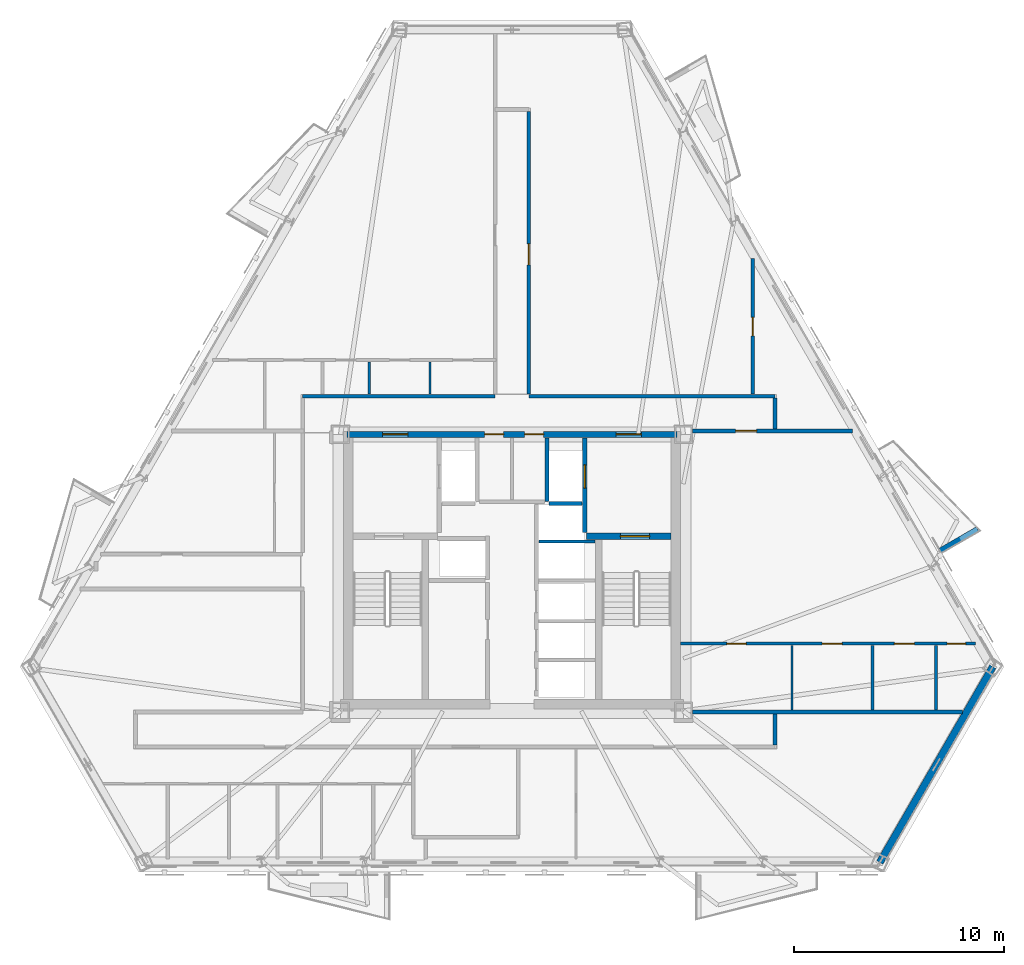
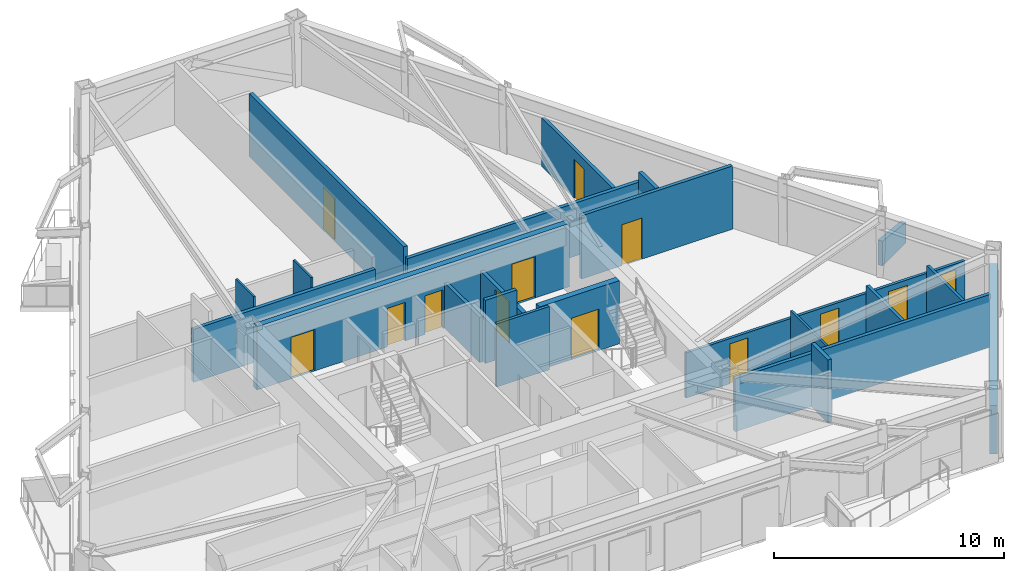
# One storey, part 5 of 9: 22 walls, 13 doors, 13 openings.
"""IFC4 building model written with IfcOpenShell, lengths in metres."""

from ifc_helpers import new_model, si_unit, direction, frame, frame_2d, origin, place, context, subcontext, project, spatial, polyline, rectangle, outline, extrude, material, layer, layer_set, type_object, element, fill, save


model = new_model("IFC4")

# Units and contexts
model_context = context("Model", 3, precision=1e-05, world=origin(), true_north=direction((0.0, 1.0)))
body_context = subcontext(model_context, "Body", "Model", "MODEL_VIEW")
ifc_project = project(units=[si_unit("LENGTHUNIT", "METRE"), si_unit("AREAUNIT", "SQUARE_METRE"), si_unit("VOLUMEUNIT", "CUBIC_METRE"), si_unit("PLANEANGLEUNIT", "RADIAN"), si_unit("MASSUNIT", "GRAM", prefix="KILO")], contexts=[model_context])

# Site, building, storey
site_placement = place(None, origin())
site = spatial("IfcSite", under=ifc_project, at=site_placement, CompositionType="ELEMENT")
building_placement = place(site_placement, origin())
building = spatial("IfcBuilding", under=site, at=building_placement, Name="Oramaril Tower", CompositionType="ELEMENT")
storey_placement = place(building_placement, frame((0.0, 0.0, 123.0)))
storey = spatial("IfcBuildingStorey", under=building, at=storey_placement, Name="L32", CompositionType="ELEMENT", Elevation=123.0)

# Walls
ifc_material_1 = material(Name="Warm Cream Limestone", Category="masonry")
ifc_layer_1 = layer(ifc_material_1, 0.340087890625)
ifc_layer_set_1 = layer_set([ifc_layer_1], Name="WT-EXT34")
wall_type_1 = type_object("IfcWallType", Name="WT-EXT34", PredefinedType="SOLIDWALL", material=ifc_layer_set_1)
wall_1_placement = place(storey_placement, frame((54.98779296875, 3.796142578125, 0.0), z_axis=(0.0, 0.0, 1.0), x_axis=(0.500010095722, 0.866019574938, 0.0)))
element("IfcWall", 1, at=wall_1_placement, inside=storey, type_object=wall_type_1, Name="L32 Tower Limestone Facade Wall 3M", PredefinedType="SOLIDWALL", context=body_context, shape_type="SweptSolid", body=[
    extrude(rectangle(XDim=10.751220703125, YDim=0.340087890625, at=frame_2d((5.37548828125, 0.0))), origin(), (0.0, 0.0, 1.0), 2.577880859375),
])
ifc_material_2 = material(Name="Concrete C40/50", Category="concrete")
ifc_layer_2 = layer(ifc_material_2, 0.22998046875)
ifc_layer_set_2 = layer_set([ifc_layer_2], Name="WT-PRP23")
wall_type_2 = type_object("IfcWallType", Name="WT-PRP23", PredefinedType="PARAPET", material=ifc_layer_set_2)
wall_2_placement = place(storey_placement, frame((57.86181640625, 18.63623046875, 0.0), z_axis=(0.0, 0.0, 1.0), x_axis=(0.866012356593, 0.500022597718, 0.0)))
element("IfcWall", 2, at=wall_2_placement, inside=storey, type_object=wall_type_2, Name="L32 Trapezoidal Balcony Frame Cheek L32-BAL-NE1-L", PredefinedType="PARAPET", context=body_context, shape_type="SweptSolid", body=[
    extrude(outline(polyline([(0.0, 0.0), (2.0419921875, 0.0), (2.0419921875, 1.10009765625), (0.0, 1.320068359375), (0.0, 0.0)])), frame((0.0, 0.114990234375, 0.0), z_axis=(0.0, -1.0, 0.0), x_axis=(1.0, 0.0, 0.0)), (0.0, 0.0, 1.0), 0.22998046875),
])
ifc_material_3 = material(Name="Acoustic Gypsum Board Partition")
ifc_layer_3 = layer(ifc_material_3, 0.10009765625)
ifc_layer_set_3 = layer_set([ifc_layer_3], Name="WT-PT10")
wall_type_3 = type_object("IfcWallType", Name="WT-PT10", PredefinedType="PARTITIONING", material=ifc_layer_set_3)
for number, where, z_axis, x_axis, name in (
    (3, (30.7099609375, 26.06396484375, 0.0), (0.0, 0.0, 1.0), (0.0, 1.0, 0.0), "L32 Interior Partition PT-10"),
    (4, (33.60009765625, 26.06396484375, 0.0), (0.0, 0.0, 1.0), (0.0, 1.0, 0.0), "L32 Interior Partition PT-10"),
):
    element("IfcWall", number, at=place(storey_placement, frame(where, z_axis=z_axis, x_axis=x_axis)), inside=storey, type_object=wall_type_3, Name=name, PredefinedType="PARTITIONING", context=body_context, shape_type="SweptSolid", body=[
        extrude(rectangle(XDim=1.5419921875, YDim=0.10009765625, at=frame_2d((0.77099609375, 0.0))), origin(), (0.0, 0.0, 1.0), 3.360107421875),
    ])
wall_3_placement = place(storey_placement, frame((50.81005859375, 11.0439453125, 0.0), z_axis=(0.0, 0.0, 1.0), x_axis=(0.0, 1.0, 0.0)))
element("IfcWall", 5, at=wall_3_placement, inside=storey, type_object=wall_type_3, Name="L32 Interior Partition PT-10", PredefinedType="PARTITIONING", context=body_context, shape_type="SweptSolid", body=[
    extrude(rectangle(XDim=3.08203125, YDim=0.10009765625, at=frame_2d((1.541015625, 0.0))), origin(), (0.0, 0.0, 1.0), 2.81396484375),
])
ifc_material_4 = material(Name="Acoustic Gypsum Board Partition")
ifc_layer_4 = layer(ifc_material_4, 0.139892578125)
ifc_layer_set_4 = layer_set([ifc_layer_4], Name="WT-PT14")
wall_type_4 = type_object("IfcWallType", Name="WT-PT14", PredefinedType="PARTITIONING", material=ifc_layer_set_4)
wall_4_placement = place(storey_placement, frame((38.780029296875, 19.050048828125, 0.0), z_axis=(0.0, 0.0, 1.0), x_axis=(1.0, 0.0, 0.0)))
element("IfcWall", 6, at=wall_4_placement, inside=storey, type_object=wall_type_4, Name="L32 East Lift Divider", PredefinedType="PARTITIONING", context=body_context, shape_type="SweptSolid", body=[
    extrude(rectangle(XDim=2.659912109375, YDim=0.139892578125, at=frame_2d((1.330078125, 0.0))), origin(), (0.0, 0.0, 1.0), 3.360107421875),
])

# Wall, openings, doors
wall_5_placement = place(storey_placement, frame((45.513916015625, 14.199951171875, 0.0), z_axis=(0.0, 0.0, 1.0), x_axis=(1.0, 0.0, 0.0)))
wall_5 = element("IfcWall", 7, at=wall_5_placement, inside=storey, type_object=wall_type_4, Name="L32 Interior Partition PT-14", PredefinedType="PARTITIONING", context=body_context, shape_type="SweptSolid", body=[
    extrude(rectangle(XDim=14.017578125, YDim=0.139892578125, at=frame_2d((7.0087890625, 0.0))), origin(), (0.0, 0.0, 1.0), 2.39990234375),
])
opening_1_placement = place(wall_5_placement, frame((2.197998046875, 0.0, 0.0)))
opening_1 = element("IfcOpeningElement", 8, at=opening_1_placement, cuts=wall_5, Name="Opening D-L32-10", PredefinedType="OPENING", context=body_context, shape_type="SweptSolid", body=[
    extrude(rectangle(XDim=0.919921875, YDim=2.1201171875, at=frame_2d((0.4599609375, 1.06005859375))), frame((0.0, 0.06982421875, 0.0), z_axis=(0.0, -1.0, 0.0), x_axis=(1.0, 0.0, 0.0)), (0.0, 0.0, 1.0), 0.139892578125),
])
opening_2_placement = place(wall_5_placement, frame((6.73828125, 0.0, 0.0)))
opening_2 = element("IfcOpeningElement", 9, at=opening_2_placement, cuts=wall_5, Name="Opening D-L32-11", PredefinedType="OPENING", context=body_context, shape_type="SweptSolid", body=[
    extrude(rectangle(XDim=0.949951171875, YDim=2.10009765625, at=frame_2d((0.47509765625, 1.050048828125))), frame((0.0, 0.06982421875, 0.0), z_axis=(0.0, -1.0, 0.0), x_axis=(1.0, 0.0, 0.0)), (0.0, 0.0, 1.0), 0.139892578125),
])
opening_3_placement = place(wall_5_placement, frame((10.165771484375, 0.0, 0.0)))
opening_3 = element("IfcOpeningElement", 10, at=opening_3_placement, cuts=wall_5, Name="Opening D-L32-12", PredefinedType="OPENING", context=body_context, shape_type="SweptSolid", body=[
    extrude(rectangle(XDim=0.949951171875, YDim=2.10009765625, at=frame_2d((0.47509765625, 1.050048828125))), frame((0.0, 0.06982421875, 0.0), z_axis=(0.0, -1.0, 0.0), x_axis=(1.0, 0.0, 0.0)), (0.0, 0.0, 1.0), 0.139892578125),
])
opening_4_placement = place(wall_5_placement, frame((12.67529296875, 0.0, 0.0)))
opening_4 = element("IfcOpeningElement", 11, at=opening_4_placement, cuts=wall_5, Name="Opening D-L32-13", PredefinedType="OPENING", context=body_context, shape_type="SweptSolid", body=[
    extrude(rectangle(XDim=0.8798828125, YDim=2.080078125, at=frame_2d((0.43994140625, 1.0400390625))), frame((0.0, 0.06982421875, 0.0), z_axis=(0.0, -1.0, 0.0), x_axis=(1.0, 0.0, 0.0)), (0.0, 0.0, 1.0), 0.139892578125),
])
ifc_material_5 = material(Name="FSC Brazilian Freijo Hardwood", Category="wood")
door_type_1 = type_object("IfcDoorType", Name="DT-BATH", OperationType="NOTDEFINED", PredefinedType="DOOR", material=ifc_material_5)
door_1_placement = place(opening_4_placement, origin())
door_1 = element("IfcDoor", 12, at=door_1_placement, inside=storey, type_object=door_type_1, Name="L32 Flat L32-U4 Bathroom Door D-L32-13", OperationType="SINGLE_SWING_LEFT", OverallHeight=2.080078125, OverallWidth=0.8798828125, PredefinedType="DOOR", context=body_context, shape_type="SweptSolid", body=[
    extrude(rectangle(XDim=0.8798828125, YDim=2.080078125, at=frame_2d((0.43994140625, 1.0400390625))), frame((0.0, 0.02490234375, 0.0), z_axis=(0.0, -1.0, 0.0), x_axis=(1.0, 0.0, 0.0)), (0.0, 0.0, 1.0), 0.050048828125),
])
fill(opening_4, door_1)
ifc_material_6 = material(Name="FSC Brazilian Freijo Hardwood", Category="wood")
door_type_2 = type_object("IfcDoorType", Name="DT-BED", OperationType="NOTDEFINED", PredefinedType="DOOR", material=ifc_material_6)
door_2_placement = place(opening_1_placement, origin())
door_2 = element("IfcDoor", 13, at=door_2_placement, inside=storey, type_object=door_type_2, Name="L32 Flat L32-U4 Master Bedroom Door D-L32-10", OperationType="SINGLE_SWING_RIGHT", OverallHeight=2.1201171875, OverallWidth=0.919921875, PredefinedType="DOOR", context=body_context, shape_type="SweptSolid", body=[
    extrude(rectangle(XDim=0.919921875, YDim=2.1201171875, at=frame_2d((0.4599609375, 1.06005859375))), frame((0.0, 0.02490234375, 0.0), z_axis=(0.0, -1.0, 0.0), x_axis=(1.0, 0.0, 0.0)), (0.0, 0.0, 1.0), 0.050048828125),
])
fill(opening_1, door_2)
ifc_material_7 = material(Name="FSC Brazilian Freijo Hardwood", Category="wood")
door_type_3 = type_object("IfcDoorType", Name="DT-STDY", OperationType="NOTDEFINED", PredefinedType="DOOR", material=ifc_material_7)
door_3_placement = place(opening_2_placement, origin())
door_3 = element("IfcDoor", 14, at=door_3_placement, inside=storey, type_object=door_type_3, Name="L32 Flat L32-U4 Dining Room Door D-L32-11", OperationType="SINGLE_SWING_LEFT", OverallHeight=2.10009765625, OverallWidth=0.949951171875, PredefinedType="DOOR", context=body_context, shape_type="SweptSolid", body=[
    extrude(rectangle(XDim=0.949951171875, YDim=2.10009765625, at=frame_2d((0.47509765625, 1.050048828125))), frame((0.0, 0.02490234375, 0.0), z_axis=(0.0, -1.0, 0.0), x_axis=(1.0, 0.0, 0.0)), (0.0, 0.0, 1.0), 0.050048828125),
])
fill(opening_2, door_3)
door_4_placement = place(opening_3_placement, origin())
door_4 = element("IfcDoor", 15, at=door_4_placement, inside=storey, type_object=door_type_3, Name="L32 Flat L32-U4 Kitchen Door D-L32-12", OperationType="SINGLE_SWING_RIGHT", OverallHeight=2.10009765625, OverallWidth=0.949951171875, PredefinedType="DOOR", context=body_context, shape_type="SweptSolid", body=[
    extrude(rectangle(XDim=0.949951171875, YDim=2.10009765625, at=frame_2d((0.47509765625, 1.050048828125))), frame((0.0, 0.02490234375, 0.0), z_axis=(0.0, -1.0, 0.0), x_axis=(1.0, 0.0, 0.0)), (0.0, 0.0, 1.0), 0.050048828125),
])
fill(opening_3, door_4)

# Wall
wall_6_placement = place(storey_placement, frame((57.669921875, 11.0439453125, 0.0), z_axis=(0.0, 0.0, 1.0), x_axis=(0.0, 1.0, 0.0)))
element("IfcWall", 16, at=wall_6_placement, inside=storey, type_object=wall_type_4, Name="L32 Interior Partition PT-14", PredefinedType="PARTITIONING", context=body_context, shape_type="SweptSolid", body=[
    extrude(rectangle(XDim=3.08203125, YDim=0.139892578125, at=frame_2d((1.541015625, 0.0))), origin(), (0.0, 0.0, 1.0), 2.81396484375),
])

# Wall, opening, door
ifc_material_8 = material(Name="Acoustic Gypsum Board Partition")
ifc_layer_5 = layer(ifc_material_8, 0.159912109375)
ifc_layer_set_5 = layer_set([ifc_layer_5], Name="WT-PT16")
wall_type_5 = type_object("IfcWallType", Name="WT-PT16", PredefinedType="PARTITIONING", material=ifc_layer_set_5)
wall_7_placement = place(storey_placement, frame((48.949951171875, 26.06396484375, 0.0), z_axis=(0.0, 0.0, 1.0), x_axis=(0.0, 1.0, 0.0)))
wall_7 = element("IfcWall", 17, at=wall_7_placement, inside=storey, type_object=wall_type_5, Name="L32 Interior Partition PT-16", PredefinedType="PARTITIONING", context=body_context, shape_type="SweptSolid", body=[
    extrude(rectangle(XDim=6.4638671875, YDim=0.159912109375, at=frame_2d((3.23193359375, 0.0))), origin(), (0.0, 0.0, 1.0), 2.577880859375),
])
opening_5_placement = place(wall_7_placement, frame((2.77001953125, 0.0, 0.0)))
opening_5 = element("IfcOpeningElement", 18, at=opening_5_placement, cuts=wall_7, Name="Opening D-L32-25", PredefinedType="OPENING", context=body_context, shape_type="SweptSolid", body=[
    extrude(rectangle(XDim=0.8798828125, YDim=2.080078125, at=frame_2d((0.43994140625, 1.0400390625))), frame((0.0, 0.080078125, 0.0), z_axis=(0.0, -1.0, 0.0), x_axis=(1.0, 0.0, 0.0)), (0.0, 0.0, 1.0), 0.159912109375),
])
door_5_placement = place(opening_5_placement, origin())
door_5 = element("IfcDoor", 19, at=door_5_placement, inside=storey, type_object=door_type_1, Name="L32 Flat L32-U6 Bathroom Door D-L32-25", OperationType="SINGLE_SWING_LEFT", OverallHeight=2.080078125, OverallWidth=0.8798828125, PredefinedType="DOOR", context=body_context, shape_type="SweptSolid", body=[
    extrude(rectangle(XDim=0.8798828125, YDim=2.080078125, at=frame_2d((0.43994140625, 1.0400390625))), frame((0.0, 0.02490234375, 0.0), z_axis=(0.0, -1.0, 0.0), x_axis=(1.0, 0.0, 0.0)), (0.0, 0.0, 1.0), 0.050048828125),
])
fill(opening_5, door_5)

# Walls
wall_8_placement = place(storey_placement, frame((54.639892578125, 11.0439453125, 0.0), z_axis=(0.0, 0.0, 1.0), x_axis=(0.0, 1.0, 0.0)))
element("IfcWall", 20, at=wall_8_placement, inside=storey, type_object=wall_type_5, Name="L32 Interior Partition PT-16", PredefinedType="PARTITIONING", context=body_context, shape_type="SweptSolid", body=[
    extrude(rectangle(XDim=3.08203125, YDim=0.159912109375, at=frame_2d((1.541015625, 0.0))), origin(), (0.0, 0.0, 1.0), 2.81396484375),
])
ifc_material_9 = material(Name="Autoclaved Cellular Concrete Block", Category="concrete")
ifc_layer_6 = layer(ifc_material_9, 0.179931640625)
ifc_layer_set_6 = layer_set([ifc_layer_6], Name="WT-PT18")
wall_type_6 = type_object("IfcWallType", Name="WT-PT18", PredefinedType="PARTITIONING", material=ifc_layer_set_6)
wall_9_placement = place(storey_placement, frame((39.159912109375, 20.9599609375, 0.0), z_axis=(0.0, 0.0, 1.0), x_axis=(0.0, 1.0, 0.0)))
element("IfcWall", 21, at=wall_9_placement, inside=storey, type_object=wall_type_6, Name="L32 FL-2 West Shaft Wall", PredefinedType="PARTITIONING", context=body_context, shape_type="SweptSolid", body=[
    extrude(rectangle(XDim=3.02001953125, YDim=0.179931640625, at=frame_2d((1.510009765625, 0.0))), origin(), (0.0, 0.0, 1.0), 2.39990234375),
])
wall_10_placement = place(storey_placement, frame((39.260009765625, 20.860107421875, 0.0), z_axis=(0.0, 0.0, 1.0), x_axis=(1.0, 0.0, 0.0)))
element("IfcWall", 22, at=wall_10_placement, inside=storey, type_object=wall_type_6, Name="L32 FL-2 South Shaft Wall", PredefinedType="PARTITIONING", context=body_context, shape_type="SweptSolid", body=[
    extrude(rectangle(XDim=1.580078125, YDim=0.179931640625, at=frame_2d((0.7900390625, 0.0))), origin(), (0.0, 0.0, 1.0), 3.360107421875),
])
wall_11_placement = place(storey_placement, frame((46.090087890625, 10.949951171875, 0.0), z_axis=(0.0, 0.0, 1.0), x_axis=(1.0, 0.0, 0.0)))
element("IfcWall", 23, at=wall_11_placement, inside=storey, type_object=wall_type_6, Name="L32 Interior Partition PT-18", PredefinedType="PARTITIONING", context=body_context, shape_type="SweptSolid", body=[
    extrude(rectangle(XDim=12.8271484375, YDim=0.179931640625, at=frame_2d((6.41357421875, 0.0))), origin(), (0.0, 0.0, 1.0), 2.81396484375),
])

# Wall, opening, door
wall_12_placement = place(storey_placement, frame((46.090087890625, 24.320068359375, 0.0), z_axis=(0.0, 0.0, 1.0), x_axis=(1.0, 0.0, 0.0)))
wall_12 = element("IfcWall", 24, at=wall_12_placement, inside=storey, type_object=wall_type_6, Name="L32 Interior Partition PT-18", PredefinedType="PARTITIONING", context=body_context, shape_type="SweptSolid", body=[
    extrude(rectangle(XDim=7.5986328125, YDim=0.179931640625, at=frame_2d((3.79931640625, 0.0))), origin(), (0.0, 0.0, 1.0), 3.360107421875),
])
opening_6_placement = place(wall_12_placement, frame((2.040771484375, 0.0, 0.0)))
opening_6 = element("IfcOpeningElement", 25, at=opening_6_placement, cuts=wall_12, Name="Opening D-L32-15", PredefinedType="OPENING", context=body_context, shape_type="SweptSolid", body=[
    extrude(rectangle(XDim=1.0, YDim=2.179931640625, at=frame_2d((0.5, 1.08984375))), frame((0.0, 0.08984375, 0.0), z_axis=(0.0, -1.0, 0.0), x_axis=(1.0, 0.0, 0.0)), (0.0, 0.0, 1.0), 0.179931640625),
])
ifc_material_10 = material(Name="FSC Brazilian Freijo Hardwood", Category="wood")
door_type_4 = type_object("IfcDoorType", Name="DT-APT", OperationType="NOTDEFINED", PredefinedType="DOOR", material=ifc_material_10)
door_6_placement = place(opening_6_placement, origin())
door_6 = element("IfcDoor", 26, at=door_6_placement, inside=storey, type_object=door_type_4, Name="L32 Flat L32-U4 Penthouse Living and Dining Room Door D-L32-15", OperationType="SINGLE_SWING_LEFT", OverallHeight=2.179931640625, OverallWidth=1.0, PredefinedType="DOOR", context=body_context, shape_type="SweptSolid", body=[
    extrude(rectangle(XDim=1.0, YDim=2.179931640625, at=frame_2d((0.5, 1.08984375))), frame((0.0, 0.02490234375, 0.0), z_axis=(0.0, -1.0, 0.0), x_axis=(1.0, 0.0, 0.0)), (0.0, 0.0, 1.0), 0.050048828125),
])
fill(opening_6, door_6)

# Walls
wall_13_placement = place(storey_placement, frame((27.550048828125, 25.969970703125, 0.0), z_axis=(0.0, 0.0, 1.0), x_axis=(1.0, 0.0, 0.0)))
element("IfcWall", 27, at=wall_13_placement, inside=storey, type_object=wall_type_6, Name="L32 Interior Partition PT-18", PredefinedType="PARTITIONING", context=body_context, shape_type="SweptSolid", body=[
    extrude(rectangle(XDim=9.14990234375, YDim=0.179931640625, at=frame_2d((4.574951171875, 0.0))), origin(), (0.0, 0.0, 1.0), 2.81396484375),
])
wall_14_placement = place(storey_placement, frame((38.300048828125, 25.969970703125, 0.0), z_axis=(0.0, 0.0, 1.0), x_axis=(1.0, 0.0, 0.0)))
element("IfcWall", 28, at=wall_14_placement, inside=storey, type_object=wall_type_6, Name="L32 Interior Partition PT-18", PredefinedType="PARTITIONING", context=body_context, shape_type="SweptSolid", body=[
    extrude(rectangle(XDim=11.699951171875, YDim=0.179931640625, at=frame_2d((5.85009765625, 0.0))), origin(), (0.0, 0.0, 1.0), 2.81396484375),
])

# Wall, opening, door
wall_15_placement = place(storey_placement, frame((38.300048828125, 26.06396484375, 0.0), z_axis=(0.0, 0.0, 1.0), x_axis=(0.0, 1.0, 0.0)))
wall_15 = element("IfcWall", 29, at=wall_15_placement, inside=storey, type_object=wall_type_6, Name="L32 Interior Partition PT-18", PredefinedType="PARTITIONING", context=body_context, shape_type="SweptSolid", body=[
    extrude(rectangle(XDim=13.442138671875, YDim=0.179931640625, at=frame_2d((6.72119140625, 0.0))), origin(), (0.0, 0.0, 1.0), 3.360107421875),
])
opening_7_placement = place(wall_15_placement, frame((6.146484375, 0.0, 0.0)))
opening_7 = element("IfcOpeningElement", 30, at=opening_7_placement, cuts=wall_15, Name="Opening D-L32-23", PredefinedType="OPENING", context=body_context, shape_type="SweptSolid", body=[
    extrude(rectangle(XDim=1.0, YDim=2.179931640625, at=frame_2d((0.5, 1.08984375))), frame((0.0, 0.08984375, 0.0), z_axis=(0.0, -1.0, 0.0), x_axis=(1.0, 0.0, 0.0)), (0.0, 0.0, 1.0), 0.179931640625),
])
door_7_placement = place(opening_7_placement, origin())
door_7 = element("IfcDoor", 31, at=door_7_placement, inside=storey, type_object=door_type_4, Name="L32 Flat L32-U6 Kitchen and Studio Apartment Door D-L32-23", OperationType="SINGLE_SWING_LEFT", OverallHeight=2.179931640625, OverallWidth=1.0, PredefinedType="DOOR", context=body_context, shape_type="SweptSolid", body=[
    extrude(rectangle(XDim=1.0, YDim=2.179931640625, at=frame_2d((0.5, 1.08984375))), frame((0.0, 0.02490234375, 0.0), z_axis=(0.0, -1.0, 0.0), x_axis=(1.0, 0.0, 0.0)), (0.0, 0.0, 1.0), 0.050048828125),
])
fill(opening_7, door_7)

# Walls
for number, where, z_axis, x_axis, name in (
    (32, (50.0, 9.39404296875, 0.0), (0.0, 0.0, 1.0), (0.0, 1.0, 0.0), "L32 Interior Partition PT-18"),
    (33, (50.0, 24.4140625, 0.0), (0.0, 0.0, 1.0), (0.0, 1.0, 0.0), "L32 Interior Partition PT-18"),
):
    element("IfcWall", number, at=place(storey_placement, frame(where, z_axis=z_axis, x_axis=x_axis)), inside=storey, type_object=wall_type_6, Name=name, PredefinedType="PARTITIONING", context=body_context, shape_type="SweptSolid", body=[
        extrude(rectangle(XDim=1.4619140625, YDim=0.179931640625, at=frame_2d((0.73095703125, 0.0))), origin(), (0.0, 0.0, 1.0), 3.360107421875),
    ])

# Wall, openings, doors
ifc_material_11 = material(Name="Concrete C50/60", Category="concrete")
ifc_layer_7 = layer(ifc_material_11, 0.300048828125)
ifc_layer_set_7 = layer_set([ifc_layer_7], Name="WT-SH30")
wall_type_7 = type_object("IfcWallType", Name="WT-SH30", PredefinedType="SHEAR", material=ifc_layer_set_7)
wall_16_placement = place(storey_placement, frame((29.64990234375, 24.14990234375, 0.0), z_axis=(0.0, 0.0, 1.0), x_axis=(1.0, 0.0, 0.0)))
wall_16 = element("IfcWall", 34, at=wall_16_placement, inside=storey, type_object=wall_type_7, Name="L32 Core Shear Wall CW-N", PredefinedType="SHEAR", context=body_context, shape_type="SweptSolid", body=[
    extrude(rectangle(XDim=15.7001953125, YDim=0.300048828125, at=frame_2d((7.85009765625, 0.0))), origin(), (0.0, 0.0, 1.0), 3.360107421875),
])
opening_8_placement = place(wall_16_placement, frame((1.699951171875, 0.0, 0.0)))
opening_8 = element("IfcOpeningElement", 35, at=opening_8_placement, cuts=wall_16, Name="Opening D-L32-FFL1", PredefinedType="OPENING", context=body_context, shape_type="SweptSolid", body=[
    extrude(rectangle(XDim=1.199951171875, YDim=2.199951171875, at=frame_2d((0.60009765625, 1.10009765625))), frame((0.0, 0.14990234375, 0.0), z_axis=(0.0, -1.0, 0.0), x_axis=(1.0, 0.0, 0.0)), (0.0, 0.0, 1.0), 0.300048828125),
])
opening_9_placement = place(wall_16_placement, frame((12.800048828125, 0.0, 0.0)))
opening_9 = element("IfcOpeningElement", 36, at=opening_9_placement, cuts=wall_16, Name="Opening D-L32-FFL2", PredefinedType="OPENING", context=body_context, shape_type="SweptSolid", body=[
    extrude(rectangle(XDim=1.199951171875, YDim=2.199951171875, at=frame_2d((0.60009765625, 1.10009765625))), frame((0.0, 0.14990234375, 0.0), z_axis=(0.0, -1.0, 0.0), x_axis=(1.0, 0.0, 0.0)), (0.0, 0.0, 1.0), 0.300048828125),
])
opening_10_placement = place(wall_16_placement, frame((6.550048828125, 0.0, 0.0)))
opening_10 = element("IfcOpeningElement", 37, at=opening_10_placement, cuts=wall_16, Name="Opening D-L32-SV1", PredefinedType="OPENING", context=body_context, shape_type="SweptSolid", body=[
    extrude(rectangle(XDim=0.89990234375, YDim=2.050048828125, at=frame_2d((0.449951171875, 1.02490234375))), frame((0.0, 0.14990234375, 0.0), z_axis=(0.0, -1.0, 0.0), x_axis=(1.0, 0.0, 0.0)), (0.0, 0.0, 1.0), 0.300048828125),
])
opening_11_placement = place(wall_16_placement, frame((8.449951171875, 0.0, 0.0)))
opening_11 = element("IfcOpeningElement", 38, at=opening_11_placement, cuts=wall_16, Name="Opening D-L32-SV2", PredefinedType="OPENING", context=body_context, shape_type="SweptSolid", body=[
    extrude(rectangle(XDim=0.89990234375, YDim=2.050048828125, at=frame_2d((0.449951171875, 1.02490234375))), frame((0.0, 0.14990234375, 0.0), z_axis=(0.0, -1.0, 0.0), x_axis=(1.0, 0.0, 0.0)), (0.0, 0.0, 1.0), 0.300048828125),
])
ifc_material_12 = material(Name="Painted Galvanised Steel", Category="steel")
door_type_5 = type_object("IfcDoorType", Name="DT-FFL", OperationType="NOTDEFINED", PredefinedType="DOOR", material=ifc_material_12)
door_8_placement = place(opening_8_placement, origin())
door_8 = element("IfcDoor", 39, at=door_8_placement, inside=storey, type_object=door_type_5, Name="L32 Firefighting Lobby 1 Fire Door", OperationType="SINGLE_SWING_LEFT", OverallHeight=2.199951171875, OverallWidth=1.199951171875, PredefinedType="DOOR", context=body_context, shape_type="SweptSolid", body=[
    extrude(rectangle(XDim=1.199951171875, YDim=2.199951171875, at=frame_2d((0.60009765625, 1.10009765625))), frame((0.0, 0.02490234375, 0.0), z_axis=(0.0, -1.0, 0.0), x_axis=(1.0, 0.0, 0.0)), (0.0, 0.0, 1.0), 0.050048828125),
])
fill(opening_8, door_8)
door_9_placement = place(opening_9_placement, origin())
door_9 = element("IfcDoor", 40, at=door_9_placement, inside=storey, type_object=door_type_5, Name="L32 Firefighting Lobby 2 Fire Door", OperationType="SINGLE_SWING_RIGHT", OverallHeight=2.199951171875, OverallWidth=1.199951171875, PredefinedType="DOOR", context=body_context, shape_type="SweptSolid", body=[
    extrude(rectangle(XDim=1.199951171875, YDim=2.199951171875, at=frame_2d((0.60009765625, 1.10009765625))), frame((0.0, 0.02490234375, 0.0), z_axis=(0.0, -1.0, 0.0), x_axis=(1.0, 0.0, 0.0)), (0.0, 0.0, 1.0), 0.050048828125),
])
fill(opening_9, door_9)
ifc_material_13 = material(Name="Painted Galvanised Steel", Category="steel")
door_type_6 = type_object("IfcDoorType", Name="DT-SVC", OperationType="NOTDEFINED", PredefinedType="DOOR", material=ifc_material_13)
door_10_placement = place(opening_10_placement, origin())
door_10 = element("IfcDoor", 41, at=door_10_placement, inside=storey, type_object=door_type_6, Name="L32 Core Service Store 1 Door", OperationType="SINGLE_SWING_LEFT", OverallHeight=2.050048828125, OverallWidth=0.89990234375, PredefinedType="DOOR", context=body_context, shape_type="SweptSolid", body=[
    extrude(rectangle(XDim=0.89990234375, YDim=2.050048828125, at=frame_2d((0.449951171875, 1.02490234375))), frame((0.0, 0.02490234375, 0.0), z_axis=(0.0, -1.0, 0.0), x_axis=(1.0, 0.0, 0.0)), (0.0, 0.0, 1.0), 0.050048828125),
])
fill(opening_10, door_10)
door_11_placement = place(opening_11_placement, origin())
door_11 = element("IfcDoor", 42, at=door_11_placement, inside=storey, type_object=door_type_6, Name="L32 Core Service Store 2 Door", OperationType="SINGLE_SWING_RIGHT", OverallHeight=2.050048828125, OverallWidth=0.89990234375, PredefinedType="DOOR", context=body_context, shape_type="SweptSolid", body=[
    extrude(rectangle(XDim=0.89990234375, YDim=2.050048828125, at=frame_2d((0.449951171875, 1.02490234375))), frame((0.0, 0.02490234375, 0.0), z_axis=(0.0, -1.0, 0.0), x_axis=(1.0, 0.0, 0.0)), (0.0, 0.0, 1.0), 0.050048828125),
])
fill(opening_11, door_11)

# Wall, opening, door
wall_17_placement = place(storey_placement, frame((41.050048828125, 19.31005859375, 0.0), z_axis=(0.0, 0.0, 1.0), x_axis=(1.0, 0.0, 0.0)))
wall_17 = element("IfcWall", 43, at=wall_17_placement, inside=storey, type_object=wall_type_7, Name="L32 Core Shear Wall CW-ST2N", PredefinedType="SHEAR", context=body_context, shape_type="SweptSolid", body=[
    extrude(rectangle(XDim=4.010009765625, YDim=0.300048828125, at=frame_2d((2.0048828125, 0.0))), origin(), (0.0, 0.0, 1.0), 3.360107421875),
])
opening_12_placement = place(wall_17_placement, frame((1.60009765625, 0.0, 0.0)))
opening_12 = element("IfcOpeningElement", 44, at=opening_12_placement, cuts=wall_17, Name="Opening D-L32-ST2", PredefinedType="OPENING", context=body_context, shape_type="SweptSolid", body=[
    extrude(rectangle(XDim=1.39990234375, YDim=2.199951171875, at=frame_2d((0.699951171875, 1.10009765625))), frame((0.0, 0.14990234375, 0.0), z_axis=(0.0, -1.0, 0.0), x_axis=(1.0, 0.0, 0.0)), (0.0, 0.0, 1.0), 0.300048828125),
])
ifc_material_14 = material(Name="Painted Galvanised Steel", Category="steel")
door_type_7 = type_object("IfcDoorType", Name="DT-ST", OperationType="NOTDEFINED", PredefinedType="DOOR", material=ifc_material_14)
door_12_placement = place(opening_12_placement, origin())
door_12 = element("IfcDoor", 45, at=door_12_placement, inside=storey, type_object=door_type_7, Name="L32 Protected Stair ST-2 Fire Door", OperationType="SINGLE_SWING_RIGHT", OverallHeight=2.199951171875, OverallWidth=1.39990234375, PredefinedType="DOOR", context=body_context, shape_type="SweptSolid", body=[
    extrude(rectangle(XDim=1.39990234375, YDim=2.199951171875, at=frame_2d((0.699951171875, 1.10009765625))), frame((0.0, 0.02490234375, 0.0), z_axis=(0.0, -1.0, 0.0), x_axis=(1.0, 0.0, 0.0)), (0.0, 0.0, 1.0), 0.050048828125),
])
fill(opening_12, door_12)

ifc_material_15 = material(Name="Autoclaved Cellular Concrete Block", Category="concrete")
ifc_layer_8 = layer(ifc_material_15, 0.199951171875)
ifc_layer_set_8 = layer_set([ifc_layer_8], Name="WT-SHF20")
wall_type_8 = type_object("IfcWallType", Name="WT-SHF20", PredefinedType="PARTITIONING", material=ifc_layer_set_8)
wall_18_placement = place(storey_placement, frame((40.9599609375, 19.47998046875, 0.0), z_axis=(0.0, 0.0, 1.0), x_axis=(0.0, 1.0, 0.0)))
wall_18 = element("IfcWall", 46, at=wall_18_placement, inside=storey, type_object=wall_type_8, Name="L32 FL-2 Lobby Shaft Wall", PredefinedType="PARTITIONING", context=body_context, shape_type="SweptSolid", body=[
    extrude(rectangle(XDim=4.5, YDim=0.199951171875, at=frame_2d((2.25, 0.0))), origin(), (0.0, 0.0, 1.0), 2.39990234375),
])
opening_13_placement = place(wall_18_placement, frame((2.1201171875, 0.0, 0.0)))
opening_13 = element("IfcOpeningElement", 47, at=opening_13_placement, cuts=wall_18, Name="Opening LD-L32-FL-2", PredefinedType="OPENING", context=body_context, shape_type="SweptSolid", body=[
    extrude(rectangle(XDim=1.10009765625, YDim=2.199951171875, at=frame_2d((0.550048828125, 1.10009765625))), frame((0.0, 0.10009765625, 0.0), z_axis=(0.0, -1.0, 0.0), x_axis=(1.0, 0.0, 0.0)), (0.0, 0.0, 1.0), 0.199951171875),
])
ifc_material_16 = material(Name="Stainless Steel 316L", Category="steel")
door_type_8 = type_object("IfcDoorType", Name="DT-LD1", OperationType="NOTDEFINED", PredefinedType="DOOR", material=ifc_material_16)
door_13_placement = place(opening_13_placement, origin())
door_13 = element("IfcDoor", 48, at=door_13_placement, inside=storey, type_object=door_type_8, Name="L32 Lift FL-2 Sliding Landing Door", OperationType="SLIDING_TO_RIGHT", OverallHeight=2.199951171875, OverallWidth=1.10009765625, PredefinedType="DOOR", context=body_context, shape_type="SweptSolid", body=[
    extrude(rectangle(XDim=1.10009765625, YDim=2.199951171875, at=frame_2d((0.550048828125, 1.10009765625))), frame((0.0, 0.02490234375, 0.0), z_axis=(0.0, -1.0, 0.0), x_axis=(1.0, 0.0, 0.0)), (0.0, 0.0, 1.0), 0.050048828125),
])
fill(opening_13, door_13)

save(model, "model.ifc")
